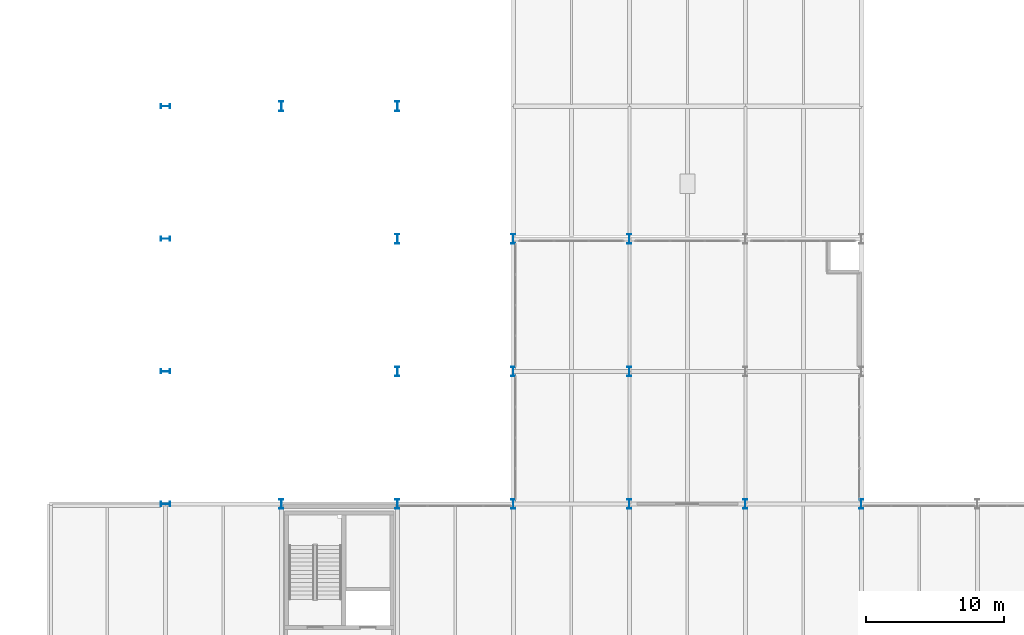
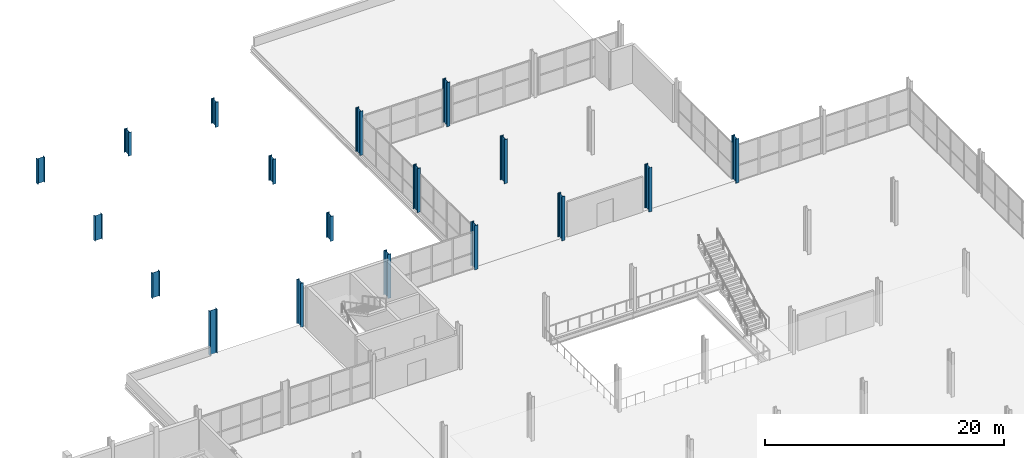
# One storey, part 9 of 113: 18 columns.
"""IFC4 building model written with IfcOpenShell, lengths in metres."""

from ifc_helpers import new_model, si_unit, direction, frame, origin, origin_2d, place, context, subcontext, project, spatial, i_section, extrude, material, material_profile, profile_set, type_object, element, save


model = new_model("IFC4")

# Units and contexts
model_context = context("Model", 3, precision=1e-05, world=origin(), true_north=direction((0.0, 1.0)))
body_context = subcontext(model_context, "Body", "Model", "MODEL_VIEW")
ifc_project = project(units=[si_unit("LENGTHUNIT", "METRE"), si_unit("AREAUNIT", "SQUARE_METRE"), si_unit("VOLUMEUNIT", "CUBIC_METRE"), si_unit("PLANEANGLEUNIT", "RADIAN"), si_unit("MASSUNIT", "GRAM", prefix="KILO")], contexts=[model_context])

# Site, building, storey
site_placement = place(None, origin())
site = spatial("IfcSite", under=ifc_project, at=site_placement, CompositionType="ELEMENT")
building_placement = place(site_placement, origin())
building = spatial("IfcBuilding", under=site, at=building_placement, Name="Veltarok Museum of Natural Sciences", CompositionType="ELEMENT")
storey_placement = place(building_placement, frame((0.0, 0.0, 8.39990234375)))
storey = spatial("IfcBuildingStorey", under=building, at=storey_placement, Name="L01", CompositionType="ELEMENT", Elevation=8.39990234375)

# Columns
ifc_material = material(Name="Steel S355J2", Category="steel")
ifc_material_profile_1 = material_profile(ifc_material, i_section(OverallWidth=0.300048828125, OverallDepth=0.699951171875, WebThickness=0.01708984375, FlangeThickness=0.031982421875, FilletRadius=0.027099609375, at=origin_2d()), Name="HEB 700")
ifc_profile_set_1 = profile_set([ifc_material_profile_1], Name="Steel S355J2")
column_type_1 = type_object("IfcColumnType", Name="Mid-Rise Frame Column HEB 700", PredefinedType="COLUMN", material=ifc_profile_set_1)
for number, where, z_axis, x_axis, name in (
    (1, (65.199951171875, 72.0, 0.0), (0.0, 0.0, 1.0), (1.0, 0.0, 0.0), "Column COL-S03 L01 8/H"),
    (2, (65.199951171875, 81.60009765625, 0.0), (0.0, 0.0, 1.0), (1.0, 0.0, 0.0), "Column COL-S03 L01 8/J"),
    (3, (73.60009765625, 72.0, 0.0), (0.0, 0.0, 1.0), (1.0, 0.0, 0.0), "Column COL-S03 L01 9/H"),
):
    element("IfcColumn", number, at=place(storey_placement, frame(where, z_axis=z_axis, x_axis=x_axis)), inside=storey, type_object=column_type_1, Name=name, PredefinedType="COLUMN", context=body_context, shape_type="SweptSolid", body=[
        extrude(i_section(OverallWidth=0.300048828125, OverallDepth=0.699951171875, WebThickness=0.01708984375, FlangeThickness=0.031982421875, FilletRadius=0.027099609375, at=origin_2d()), origin(), (0.0, 0.0, 1.0), 4.5),
    ])
ifc_material_profile_2 = material_profile(ifc_material, i_section(OverallWidth=0.300048828125, OverallDepth=0.699951171875, WebThickness=0.01708984375, FlangeThickness=0.031982421875, FilletRadius=0.027099609375, at=origin_2d()), Name="HEB 700")
ifc_profile_set_2 = profile_set([ifc_material_profile_2], Name="Steel S355J2")
column_type_2 = type_object("IfcColumnType", Name="Perimeter Steel Column HEB 700", PredefinedType="COLUMN", material=ifc_profile_set_2)
column_1_placement = place(storey_placement, frame((31.60009765625, 72.0, 0.0), z_axis=(0.0, 0.0, 1.0), x_axis=(0.0, 1.0, 0.0)))
element("IfcColumn", 4, at=column_1_placement, inside=storey, type_object=column_type_2, Name="Column COL-EXT01 L01 4/H", PredefinedType="COLUMN", context=body_context, shape_type="SweptSolid", body=[
    extrude(i_section(OverallWidth=0.300048828125, OverallDepth=0.699951171875, WebThickness=0.01708984375, FlangeThickness=0.031982421875, FilletRadius=0.027099609375, at=origin_2d()), origin(), (0.0, 0.0, 1.0), 4.5),
])
for number, where, z_axis, x_axis, name in (
    (5, (31.60009765625, 81.60009765625, 0.0), (0.0, 0.0, 1.0), (0.0, 1.0, 0.0), "Column COL-EXT01 L01 4/J"),
    (6, (31.60009765625, 91.199951171875, 0.0), (0.0, 0.0, 1.0), (0.0, 1.0, 0.0), "Column COL-EXT01 L01 4/K"),
    (7, (31.60009765625, 100.800048828125, 0.0), (0.0, 0.0, 1.0), (0.0, 1.0, 0.0), "Column COL-EXT01 L01 4/L"),
):
    element("IfcColumn", number, at=place(storey_placement, frame(where, z_axis=z_axis, x_axis=x_axis)), inside=storey, type_object=column_type_2, Name=name, PredefinedType="COLUMN", context=body_context, shape_type="SweptSolid", body=[
        extrude(i_section(OverallWidth=0.300048828125, OverallDepth=0.699951171875, WebThickness=0.01708984375, FlangeThickness=0.031982421875, FilletRadius=0.027099609375, at=origin_2d()), origin(), (0.0, 0.0, 1.0), 2.550048828125),
    ])
column_2_placement = place(storey_placement, frame((40.0, 72.0, 0.0), z_axis=(0.0, 0.0, 1.0), x_axis=(1.0, 0.0, 0.0)))
element("IfcColumn", 8, at=column_2_placement, inside=storey, type_object=column_type_2, Name="Column COL-EXT01 L01 5/H", PredefinedType="COLUMN", context=body_context, shape_type="SweptSolid", body=[
    extrude(i_section(OverallWidth=0.300048828125, OverallDepth=0.699951171875, WebThickness=0.01708984375, FlangeThickness=0.031982421875, FilletRadius=0.027099609375, at=origin_2d()), origin(), (0.0, 0.0, 1.0), 4.5),
])
column_3_placement = place(storey_placement, frame((40.0, 100.800048828125, 0.0), z_axis=(0.0, 0.0, 1.0), x_axis=(1.0, 0.0, 0.0)))
element("IfcColumn", 9, at=column_3_placement, inside=storey, type_object=column_type_2, Name="Column COL-EXT01 L01 5/L", PredefinedType="COLUMN", context=body_context, shape_type="SweptSolid", body=[
    extrude(i_section(OverallWidth=0.300048828125, OverallDepth=0.699951171875, WebThickness=0.01708984375, FlangeThickness=0.031982421875, FilletRadius=0.027099609375, at=origin_2d()), origin(), (0.0, 0.0, 1.0), 2.400146484375),
])
column_4_placement = place(storey_placement, frame((48.39990234375, 72.0, 0.0), z_axis=(0.0, 0.0, 1.0), x_axis=(1.0, 0.0, 0.0)))
element("IfcColumn", 10, at=column_4_placement, inside=storey, type_object=column_type_2, Name="Column COL-EXT01 L01 6/H", PredefinedType="COLUMN", context=body_context, shape_type="SweptSolid", body=[
    extrude(i_section(OverallWidth=0.300048828125, OverallDepth=0.699951171875, WebThickness=0.01708984375, FlangeThickness=0.031982421875, FilletRadius=0.027099609375, at=origin_2d()), origin(), (0.0, 0.0, 1.0), 4.5),
])
for number, where, z_axis, x_axis, name in (
    (11, (48.39990234375, 81.60009765625, 0.0), (0.0, 0.0, 1.0), (1.0, 0.0, 0.0), "Column COL-EXT01 L01 6/J"),
    (12, (48.39990234375, 91.199951171875, 0.0), (0.0, 0.0, 1.0), (1.0, 0.0, 0.0), "Column COL-EXT01 L01 6/K"),
    (13, (48.39990234375, 100.800048828125, 0.0), (0.0, 0.0, 1.0), (1.0, 0.0, 0.0), "Column COL-EXT01 L01 6/L"),
):
    element("IfcColumn", number, at=place(storey_placement, frame(where, z_axis=z_axis, x_axis=x_axis)), inside=storey, type_object=column_type_2, Name=name, PredefinedType="COLUMN", context=body_context, shape_type="SweptSolid", body=[
        extrude(i_section(OverallWidth=0.300048828125, OverallDepth=0.699951171875, WebThickness=0.01708984375, FlangeThickness=0.031982421875, FilletRadius=0.027099609375, at=origin_2d()), origin(), (0.0, 0.0, 1.0), 2.550048828125),
    ])
for number, where, z_axis, x_axis, name in (
    (14, (56.800048828125, 72.0, 0.0), (0.0, 0.0, 1.0), (1.0, 0.0, 0.0), "Column COL-EXT01 L01 7/H"),
    (15, (56.800048828125, 81.60009765625, 0.0), (0.0, 0.0, 1.0), (1.0, 0.0, 0.0), "Column COL-EXT01 L01 7/J"),
    (16, (56.800048828125, 91.199951171875, 0.0), (0.0, 0.0, 1.0), (1.0, 0.0, 0.0), "Column COL-EXT01 L01 7/K"),
    (17, (65.199951171875, 91.199951171875, 0.0), (0.0, 0.0, 1.0), (1.0, 0.0, 0.0), "Column COL-EXT01 L01 8/K"),
    (18, (82.0, 72.0, 0.0), (0.0, 0.0, 1.0), (1.0, 0.0, 0.0), "Column COL-EXT01 L01 10/H"),
):
    element("IfcColumn", number, at=place(storey_placement, frame(where, z_axis=z_axis, x_axis=x_axis)), inside=storey, type_object=column_type_2, Name=name, PredefinedType="COLUMN", context=body_context, shape_type="SweptSolid", body=[
        extrude(i_section(OverallWidth=0.300048828125, OverallDepth=0.699951171875, WebThickness=0.01708984375, FlangeThickness=0.031982421875, FilletRadius=0.027099609375, at=origin_2d()), origin(), (0.0, 0.0, 1.0), 4.5),
    ])

save(model, "model.ifc")
